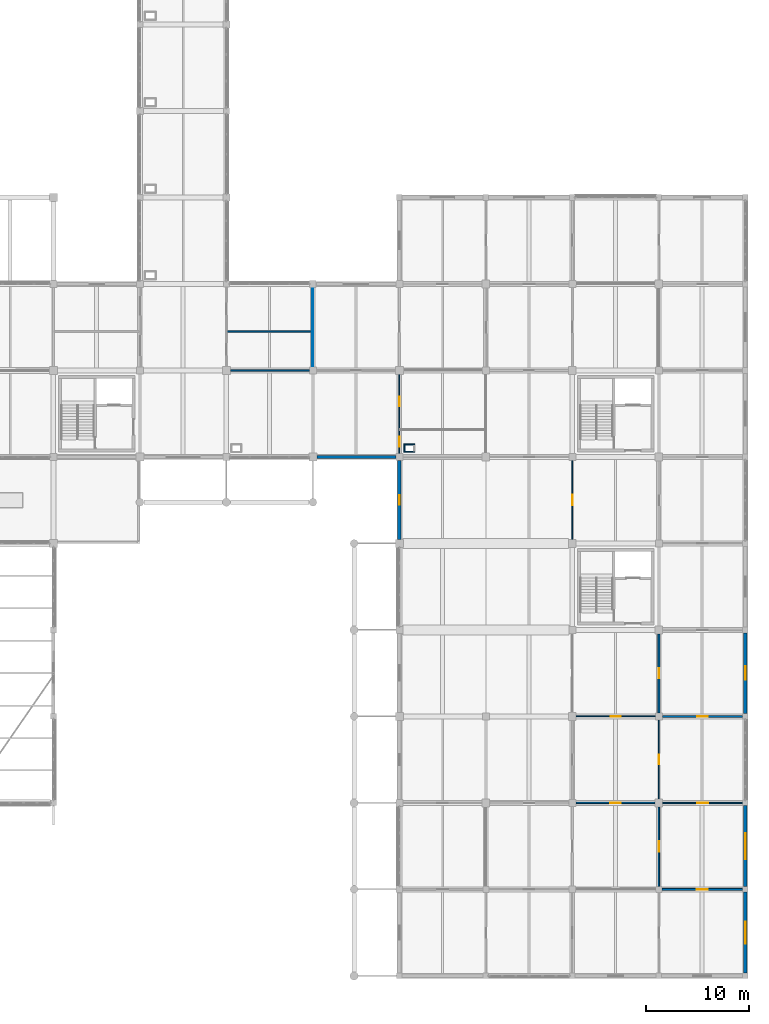
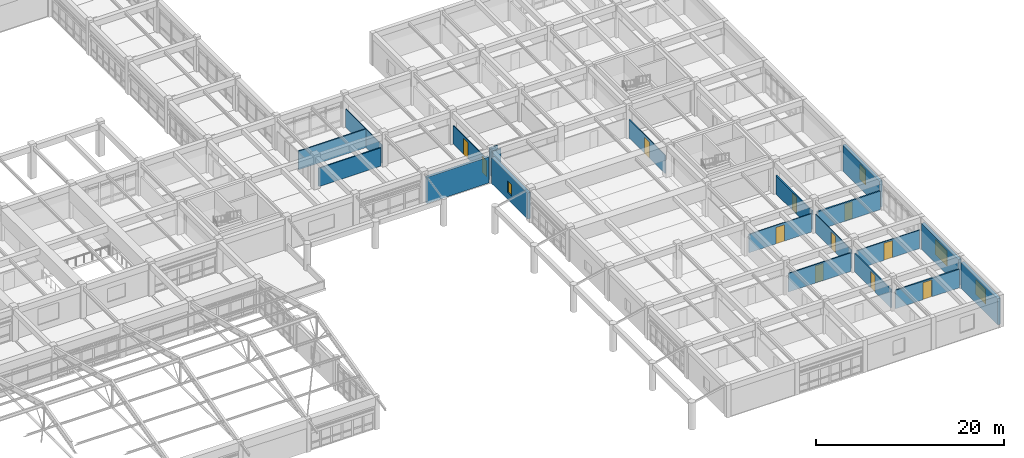
# One storey, part 91 of 99: 21 walls, 11 doors, 4 windows, 15 openings.
"""IFC4 building model written with IfcOpenShell, lengths in metres."""

import ifcopenshell
import ifcopenshell.guid

model = None  # the IFC model being written
_history = None  # IfcOwnerHistory: only IFC2X3 demands one
_inside = {}  # id of a spatial element -> (the spatial element, [elements in it])
_under = {}  # id of a project, library or spatial element -> (it, [spatial elements below it])
_declared = {}  # id of a project -> (the project, [libraries it declares])
_typed = {}  # id of a type object -> (the type object, [elements of that type])
_made_of = {}  # id of a material, layer set ... -> (it, [elements and type objects made of it])


def new_model(schema):
    """Start an empty IFC model of exactly this schema.

    Asked for "IFC4X3", IfcOpenShell would pick the latest addendum, in which some entities
    have other attributes; the version numbers below select the first issue.
    IFC2X3 requires an IfcOwnerHistory on every rooted entity: one is made here for all.
    """
    global model, _history
    if schema == "IFC4X3":
        model = ifcopenshell.file(schema_version=(4, 3, 0, 0))
    else:
        model = ifcopenshell.file(schema=schema)
    _inside.clear()
    _under.clear()
    _declared.clear()
    _typed.clear()
    _made_of.clear()
    _history = None
    if model.schema == "IFC2X3":
        org = make("IfcOrganization", Name="unknown")
        user = make(
            "IfcPersonAndOrganization",
            ThePerson=make("IfcPerson", FamilyName="unknown"),
            TheOrganization=org,
        )
        app = make(
            "IfcApplication",
            ApplicationDeveloper=org,
            Version="unknown",
            ApplicationFullName="unknown",
            ApplicationIdentifier="unknown",
        )
        _history = make(
            "IfcOwnerHistory",
            OwningUser=user,
            OwningApplication=app,
            ChangeAction="ADDED",
            CreationDate=0,
        )
    return model


def make(cls, **values):
    """One entity of the class cls with the attributes given. An attribute that is None is left unset."""
    return model.create_entity(
        cls, **{name: value for name, value in values.items() if value is not None}
    )


def rooted(cls, **values):
    """An entity with a GlobalId (a new one), such as an element, a storey or a relation."""
    return make(cls, GlobalId=ifcopenshell.guid.new(), OwnerHistory=_history, **values)


def si_unit(unit_type, name, prefix=None):
    """IfcSIUnit, for example si_unit("LENGTHUNIT", "METRE", prefix="MILLI")."""
    return make("IfcSIUnit", UnitType=unit_type, Prefix=prefix, Name=name)


def assignment(units):
    """IfcUnitAssignment: the units of a project."""
    return None if units is None else make("IfcUnitAssignment", Units=units)


def point(xyz):
    """IfcCartesianPoint."""
    return None if xyz is None else make("IfcCartesianPoint", Coordinates=xyz)


def direction(xyz):
    """IfcDirection."""
    return None if xyz is None else make("IfcDirection", DirectionRatios=xyz)


def frame(location, z_axis=None, x_axis=None):
    """IfcAxis2Placement3D, a coordinate frame: its origin and axes. An axis left out is left unset."""
    return make(
        "IfcAxis2Placement3D",
        Location=point(location),
        Axis=direction(z_axis),
        RefDirection=direction(x_axis),
    )


def frame_2d(location, x_axis=None):
    """IfcAxis2Placement2D, a coordinate frame in the plane: its origin and x axis."""
    return make(
        "IfcAxis2Placement2D", Location=point(location), RefDirection=direction(x_axis)
    )


def origin():
    """The frame at (0, 0, 0) with its axes left unset."""
    return frame((0.0, 0.0, 0.0))


def place(relative_to, where):
    """IfcLocalPlacement: puts the frame where relative to a parent placement (None: the world)."""
    return make(
        "IfcLocalPlacement", PlacementRelTo=relative_to, RelativePlacement=where
    )


def context(
    kind, dimensions, precision=None, world=None, true_north=None, identifier=None
):
    """IfcGeometricRepresentationContext, for example the 3D "Model" context."""
    return make(
        "IfcGeometricRepresentationContext",
        ContextIdentifier=identifier,
        ContextType=kind,
        CoordinateSpaceDimension=dimensions,
        Precision=precision,
        WorldCoordinateSystem=world,
        TrueNorth=true_north,
    )


def subcontext(parent, identifier, kind, view, scale=None):
    """IfcGeometricRepresentationSubContext, for example "Body" below "Model"."""
    return make(
        "IfcGeometricRepresentationSubContext",
        ContextIdentifier=identifier,
        ContextType=kind,
        ParentContext=parent,
        TargetScale=scale,
        TargetView=view,
    )


def project(units=None, contexts=None):
    """IfcProject with its units and contexts."""
    return rooted(
        "IfcProject",
        Name="project",
        RepresentationContexts=contexts,
        UnitsInContext=assignment(units),
    )


def spatial(cls, under=None, at=None, **own):
    """A site, building, storey or space (cls), placed at a placement, below another one or the project."""
    s = rooted(cls, ObjectPlacement=at, **own)
    if under is not None:
        _under.setdefault(under.id(), (under, []))[1].append(s)
    return s


def profile(cls, at=None, kind="AREA", **sizes):
    """A parametric profile (cls). Its sizes go by their IFC names, for example OverallWidth=200.0."""
    return make(cls, ProfileType=kind, Position=at, **sizes)


def rectangle(**sizes):
    """IfcRectangleProfileDef."""
    return profile("IfcRectangleProfileDef", **sizes)


def extrude(swept, where, along, depth):
    """IfcExtrudedAreaSolid: the profile swept, set in the frame where, extruded along a direction by depth."""
    return make(
        "IfcExtrudedAreaSolid",
        SweptArea=swept,
        Position=where,
        ExtrudedDirection=direction(along),
        Depth=depth,
    )


def shape(context_of_items, identifier, shape_type, items):
    """IfcShapeRepresentation: the items that make up one representation, for example the "Body"."""
    return make(
        "IfcShapeRepresentation",
        ContextOfItems=context_of_items,
        RepresentationIdentifier=identifier,
        RepresentationType=shape_type,
        Items=items,
    )


def material(Name=None, Category=None):
    """IfcMaterial."""
    return make("IfcMaterial", Name=Name, Category=Category)


def layer(
    of_material, thickness, ventilated=None, Name=None, Category=None, Priority=None
):
    """IfcMaterialLayer: one layer of a wall or slab, of a material (None: an air gap)."""
    return make(
        "IfcMaterialLayer",
        Material=of_material,
        LayerThickness=thickness,
        IsVentilated=ventilated,
        Name=Name,
        Category=Category,
        Priority=Priority,
    )


def layer_set(layers, Name=None):
    """IfcMaterialLayerSet."""
    return make("IfcMaterialLayerSet", MaterialLayers=layers, LayerSetName=Name)


def made_of(thing, what):
    """Note that an element or type object is made of a material, layer set ...; save() writes the relation."""
    if what is not None:
        _made_of.setdefault(what.id(), (what, []))[1].append(thing)
    return thing


def type_object(cls, material=None, **own):
    """A type object (cls), such as IfcWallType, which elements share."""
    return made_of(rooted(cls, **own), material)


def element(
    cls,
    number,
    at=None,
    inside=None,
    cuts=None,
    type_object=None,
    material=None,
    context=None,
    identifier="Body",
    shape_type=None,
    held_by="IfcProductDefinitionShape",
    body=None,
    shapes=None,
    **own,
):
    """One element of the class cls, such as IfcWall. Its Tag is "e" and its number.

    at: its placement. inside: the storey or other place that contains it. cuts: it is an
    opening in that element (IfcRelVoidsElement). A single representation is given by context,
    identifier, shape_type and body (its items); several are given by shapes. held_by: the class
    of the entity that holds the representations. save() writes the other relations.
    """
    e = rooted(cls, Tag="e%d" % number, ObjectPlacement=at, **own)
    if body is not None:
        shapes = [shape(context, identifier, shape_type, body)]
    if shapes is not None:
        e.Representation = make(held_by, Representations=shapes)
    if inside is not None:
        _inside.setdefault(inside.id(), (inside, []))[1].append(e)
    if cuts is not None:
        rooted(
            "IfcRelVoidsElement", RelatingBuildingElement=cuts, RelatedOpeningElement=e
        )
    if type_object is not None:
        _typed.setdefault(type_object.id(), (type_object, []))[1].append(e)
    return made_of(e, material)


def fill(opening, filler):
    """IfcRelFillsElement: the door or window that sits in an opening."""
    return rooted(
        "IfcRelFillsElement",
        RelatingOpeningElement=opening,
        RelatedBuildingElement=filler,
    )


def aggregate(whole, parts):
    """IfcRelAggregates: a whole, such as a stair, and the parts it consists of."""
    return rooted("IfcRelAggregates", RelatingObject=whole, RelatedObjects=parts)


def save(model, path):
    """Write the relations noted so far, then the file.

    IfcRelAggregates (storeys below a building ...), IfcRelContainedInSpatialStructure (elements
    in a storey), IfcRelDefinesByType, IfcRelAssociatesMaterial and IfcRelDeclares: one each for
    every whole, place, type object, material and project.
    """
    for whole, parts in _under.values():
        aggregate(whole, parts)
    for where, things in _inside.values():
        rooted(
            "IfcRelContainedInSpatialStructure",
            RelatedElements=things,
            RelatingStructure=where,
        )
    for kind, things in _typed.values():
        rooted("IfcRelDefinesByType", RelatedObjects=things, RelatingType=kind)
    for what, things in _made_of.values():
        rooted("IfcRelAssociatesMaterial", RelatedObjects=things, RelatingMaterial=what)
    for by, libraries in _declared.values():
        rooted("IfcRelDeclares", RelatingContext=by, RelatedDefinitions=libraries)
    model.write(path)


model = new_model("IFC4")

# Units and contexts
model_context = context("Model", 3, precision=1e-05, world=origin(), true_north=direction((0.0, 1.0)))
body_context = subcontext(model_context, "Body", "Model", "MODEL_VIEW")
ifc_project = project(units=[si_unit("LENGTHUNIT", "METRE"), si_unit("AREAUNIT", "SQUARE_METRE"), si_unit("VOLUMEUNIT", "CUBIC_METRE"), si_unit("PLANEANGLEUNIT", "RADIAN"), si_unit("MASSUNIT", "GRAM", prefix="KILO")], contexts=[model_context])

# Site, building, storey
site_placement = place(None, origin())
site = spatial("IfcSite", under=ifc_project, at=site_placement, CompositionType="ELEMENT")
building_placement = place(site_placement, origin())
building = spatial("IfcBuilding", under=site, at=building_placement, Name="Porcellanite Civic Hall", CompositionType="ELEMENT")
storey_placement = place(building_placement, frame((0.0, 0.0, 5.760009765625)))
storey = spatial("IfcBuildingStorey", under=building, at=storey_placement, Name="L01", CompositionType="ELEMENT", Elevation=5.760009765625)

# Wall
ifc_material_1 = material(Name="Precast concrete N40 (40 MPa)", Category="concrete")
ifc_layer_1 = layer(ifc_material_1, 0.280029296875)
ifc_layer_set_1 = layer_set([ifc_layer_1], Name="Precast concrete N40 (40 MPa)")
wall_type_1 = type_object("IfcWallType", Name="EW-CLO280", PredefinedType="SOLIDWALL", material=ifc_layer_set_1)
wall_1_placement = place(storey_placement, frame((142.448974609375, 50.39990234375, 0.0), z_axis=(0.0, 0.0, 1.0), x_axis=(-1.0, 0.0, 0.0)))
element("IfcWall", 1, at=wall_1_placement, inside=storey, type_object=wall_type_1, Name="Exterior wall L01 S 17-7", PredefinedType="SOLIDWALL", context=body_context, shape_type="SweptSolid", body=[
    extrude(rectangle(XDim=7.673095703125, YDim=0.280029296875, at=frame_2d((3.83642578125, 0.0))), origin(), (0.0, 0.0, 1.0), 3.39990234375),
])

# Wall, opening, window
ifc_material_2 = material(Name="Precast concrete N40 (40 MPa)", Category="concrete")
ifc_layer_2 = layer(ifc_material_2, 0.360107421875)
ifc_layer_set_2 = layer_set([ifc_layer_2], Name="Precast concrete N40 (40 MPa)")
wall_type_2 = type_object("IfcWallType", Name="EW-LIB360", PredefinedType="SOLIDWALL", material=ifc_layer_set_2)
wall_2_placement = place(storey_placement, frame((142.800048828125, 42.3759765625, 0.0), z_axis=(0.0, 0.0, 1.0), x_axis=(0.0, 1.0, 0.0)))
wall_2 = element("IfcWall", 2, at=wall_2_placement, inside=storey, type_object=wall_type_2, Name="Exterior wall L01 W 18-6", PredefinedType="SOLIDWALL", context=body_context, shape_type="SweptSolid", body=[
    extrude(rectangle(XDim=7.673095703125, YDim=0.360107421875, at=frame_2d((3.83642578125, 0.0))), origin(), (0.0, 0.0, 1.0), 3.39990234375),
])
opening_1_placement = place(wall_2_placement, frame((3.385986328125, 0.0, 0.89990234375)))
opening_1 = element("IfcOpeningElement", 3, at=opening_1_placement, cuts=wall_2, Name="Opening W26", PredefinedType="OPENING", context=body_context, shape_type="SweptSolid", body=[
    extrude(rectangle(XDim=0.89990234375, YDim=1.5, at=frame_2d((0.449951171875, 0.75))), frame((0.0, 0.18017578125, 0.0), z_axis=(0.0, -1.0, 0.0), x_axis=(1.0, 0.0, 0.0)), (0.0, 0.0, 1.0), 0.360107421875),
])
ifc_material_3 = material(Name="Cyclone laminated low-E glazing in anodised aluminium frame", Category="aluminium")
window_type_1 = type_object("IfcWindowType", Name="WN-26", PartitioningType="SINGLE_PANEL", PredefinedType="WINDOW", material=ifc_material_3)
window_1_placement = place(opening_1_placement, origin())
window_1 = element("IfcWindow", 4, at=window_1_placement, inside=storey, type_object=window_type_1, Name="Window W26 L01 W 18-6", OverallHeight=1.5, OverallWidth=0.89990234375, PartitioningType="SINGLE_PANEL", PredefinedType="WINDOW", context=body_context, shape_type="SweptSolid", body=[
    extrude(rectangle(XDim=0.89990234375, YDim=1.5, at=frame_2d((0.449951171875, 0.75))), frame((0.0, 0.030029296875, 0.0), z_axis=(0.0, -1.0, 0.0), x_axis=(1.0, 0.0, 0.0)), (0.0, 0.0, 1.0), 0.06005859375),
])
fill(opening_1, window_1)

wall_3_placement = place(storey_placement, frame((176.39990234375, 8.1240234375, 0.0), z_axis=(0.0, 0.0, 1.0), x_axis=(0.0, -1.0, 0.0)))
wall_3 = element("IfcWall", 5, at=wall_3_placement, inside=storey, type_object=wall_type_2, Name="Exterior wall L01 E 21-1", PredefinedType="SOLIDWALL", context=body_context, shape_type="SweptSolid", body=[
    extrude(rectangle(XDim=7.84814453125, YDim=0.360107421875, at=frame_2d((3.924072265625, 0.0))), origin(), (0.0, 0.0, 1.0), 3.39990234375),
])
opening_2_placement = place(wall_3_placement, frame((2.84912109375, 0.0, 0.89990234375)))
opening_2 = element("IfcOpeningElement", 6, at=opening_2_placement, cuts=wall_3, Name="Opening W32", PredefinedType="OPENING", context=body_context, shape_type="SweptSolid", body=[
    extrude(rectangle(XDim=2.14990234375, YDim=1.949951171875, at=frame_2d((1.074951171875, 0.97509765625))), frame((0.0, 0.18017578125, 0.0), z_axis=(0.0, -1.0, 0.0), x_axis=(1.0, 0.0, 0.0)), (0.0, 0.0, 1.0), 0.360107421875),
])
ifc_material_4 = material(Name="Cyclone laminated low-E glazing in anodised aluminium frame", Category="aluminium")
window_type_2 = type_object("IfcWindowType", Name="WN-32", PartitioningType="DOUBLE_PANEL_VERTICAL", PredefinedType="WINDOW", material=ifc_material_4)
window_2_placement = place(opening_2_placement, origin())
window_2 = element("IfcWindow", 7, at=window_2_placement, inside=storey, type_object=window_type_2, Name="Window W32 L01 E 21-1", OverallHeight=1.949951171875, OverallWidth=2.14990234375, PartitioningType="SINGLE_PANEL", PredefinedType="WINDOW", context=body_context, shape_type="SweptSolid", body=[
    extrude(rectangle(XDim=2.14990234375, YDim=1.949951171875, at=frame_2d((1.074951171875, 0.97509765625))), frame((0.0, 0.030029296875, 0.0), z_axis=(0.0, -1.0, 0.0), x_axis=(1.0, 0.0, 0.0)), (0.0, 0.0, 1.0), 0.06005859375),
])
fill(opening_2, window_2)

wall_4_placement = place(storey_placement, frame((176.39990234375, 16.52392578125, 0.0), z_axis=(0.0, 0.0, 1.0), x_axis=(0.0, -1.0, 0.0)))
wall_4 = element("IfcWall", 8, at=wall_4_placement, inside=storey, type_object=wall_type_2, Name="Exterior wall L01 E 21-2", PredefinedType="SOLIDWALL", context=body_context, shape_type="SweptSolid", body=[
    extrude(rectangle(XDim=7.847900390625, YDim=0.360107421875, at=frame_2d((3.923828125, 0.0))), origin(), (0.0, 0.0, 1.0), 3.39990234375),
])
opening_3_placement = place(wall_4_placement, frame((2.64892578125, 0.0, 0.89990234375)))
opening_3 = element("IfcOpeningElement", 9, at=opening_3_placement, cuts=wall_4, Name="Opening W33", PredefinedType="OPENING", context=body_context, shape_type="SweptSolid", body=[
    extrude(rectangle(XDim=2.550048828125, YDim=1.949951171875, at=frame_2d((1.27490234375, 0.97509765625))), frame((0.0, 0.18017578125, 0.0), z_axis=(0.0, -1.0, 0.0), x_axis=(1.0, 0.0, 0.0)), (0.0, 0.0, 1.0), 0.360107421875),
])
ifc_material_5 = material(Name="Cyclone laminated low-E glazing in anodised aluminium frame", Category="aluminium")
window_type_3 = type_object("IfcWindowType", Name="WN-33", PartitioningType="TRIPLE_PANEL_VERTICAL", PredefinedType="WINDOW", material=ifc_material_5)
window_3_placement = place(opening_3_placement, origin())
window_3 = element("IfcWindow", 10, at=window_3_placement, inside=storey, type_object=window_type_3, Name="Window W33 L01 E 21-2", OverallHeight=1.949951171875, OverallWidth=2.550048828125, PartitioningType="SINGLE_PANEL", PredefinedType="WINDOW", context=body_context, shape_type="SweptSolid", body=[
    extrude(rectangle(XDim=2.550048828125, YDim=1.949951171875, at=frame_2d((1.27490234375, 0.97509765625))), frame((0.0, 0.030029296875, 0.0), z_axis=(0.0, -1.0, 0.0), x_axis=(1.0, 0.0, 0.0)), (0.0, 0.0, 1.0), 0.06005859375),
])
fill(opening_3, window_3)

wall_5_placement = place(storey_placement, frame((176.39990234375, 33.323974609375, 0.0), z_axis=(0.0, 0.0, 1.0), x_axis=(0.0, -1.0, 0.0)))
wall_5 = element("IfcWall", 11, at=wall_5_placement, inside=storey, type_object=wall_type_2, Name="Exterior wall L01 E 21-4", PredefinedType="SOLIDWALL", context=body_context, shape_type="SweptSolid", body=[
    extrude(rectangle(XDim=7.847900390625, YDim=0.360107421875, at=frame_2d((3.923828125, 0.0))), origin(), (0.0, 0.0, 1.0), 3.39990234375),
])
opening_4_placement = place(wall_5_placement, frame((3.27392578125, 0.0, 0.89990234375)))
opening_4 = element("IfcOpeningElement", 12, at=opening_4_placement, cuts=wall_5, Name="Opening W34", PredefinedType="OPENING", context=body_context, shape_type="SweptSolid", body=[
    extrude(rectangle(XDim=1.300048828125, YDim=1.949951171875, at=frame_2d((0.64990234375, 0.97509765625))), frame((0.0, 0.18017578125, 0.0), z_axis=(0.0, -1.0, 0.0), x_axis=(1.0, 0.0, 0.0)), (0.0, 0.0, 1.0), 0.360107421875),
])
ifc_material_6 = material(Name="Cyclone laminated low-E glazing in anodised aluminium frame", Category="aluminium")
window_type_4 = type_object("IfcWindowType", Name="WN-34", PartitioningType="SINGLE_PANEL", PredefinedType="WINDOW", material=ifc_material_6)
window_4_placement = place(opening_4_placement, origin())
window_4 = element("IfcWindow", 13, at=window_4_placement, inside=storey, type_object=window_type_4, Name="Window W34 L01 E 21-4", OverallHeight=1.949951171875, OverallWidth=1.300048828125, PartitioningType="SINGLE_PANEL", PredefinedType="WINDOW", context=body_context, shape_type="SweptSolid", body=[
    extrude(rectangle(XDim=1.300048828125, YDim=1.949951171875, at=frame_2d((0.64990234375, 0.97509765625))), frame((0.0, 0.030029296875, 0.0), z_axis=(0.0, -1.0, 0.0), x_axis=(1.0, 0.0, 0.0)), (0.0, 0.0, 1.0), 0.06005859375),
])
fill(opening_4, window_4)

# Walls
ifc_material_7 = material(Name="Fire-rated shaftwall plasterboard on steel studs", Category="steel")
ifc_layer_3 = layer(ifc_material_7, 0.117919921875)
ifc_layer_set_3 = layer_set([ifc_layer_3], Name="Fire-rated shaftwall plasterboard on steel studs")
wall_type_3 = type_object("IfcWallType", Name="IW-FR118", PredefinedType="PARTITIONING", material=ifc_layer_set_3)
for number, where, z_axis, x_axis, name in (
    (14, (143.23193359375, 50.89111328125, 0.0), (0.0, 0.0, 1.0), (1.0, 0.0, 0.0), "Fire riser shaftwall S L01 17-6"),
    (15, (143.23193359375, 51.60888671875, 0.0), (0.0, 0.0, 1.0), (1.0, 0.0, 0.0), "Fire riser shaftwall N L01 17-6"),
):
    element("IfcWall", number, at=place(storey_placement, frame(where, z_axis=z_axis, x_axis=x_axis)), inside=storey, type_object=wall_type_3, Name=name, PredefinedType="PARTITIONING", context=body_context, shape_type="SweptSolid", body=[
        extrude(rectangle(XDim=1.0361328125, YDim=0.117919921875, at=frame_2d((0.51806640625, 0.0))), origin(), (0.0, 0.0, 1.0), 3.47998046875),
    ])
wall_6_placement = place(storey_placement, frame((143.291015625, 50.949951171875, 0.0), z_axis=(0.0, 0.0, 1.0), x_axis=(0.0, 1.0, 0.0)))
element("IfcWall", 16, at=wall_6_placement, inside=storey, type_object=wall_type_3, Name="Fire riser shaftwall W L01 17-6", PredefinedType="PARTITIONING", context=body_context, shape_type="SweptSolid", body=[
    extrude(rectangle(XDim=0.60009765625, YDim=0.117919921875, at=frame_2d((0.300048828125, 0.0))), origin(), (0.0, 0.0, 1.0), 3.47998046875),
])
ifc_material_8 = material(Name="Insulated acoustic plasterboard on light-gauge steel studs", Category="steel")
ifc_layer_4 = layer(ifc_material_8, 0.094970703125)
ifc_layer_set_4 = layer_set([ifc_layer_4], Name="Insulated acoustic plasterboard on light-gauge steel studs")
wall_type_4 = type_object("IfcWallType", Name="IW-PT095", PredefinedType="PARTITIONING", material=ifc_layer_set_4)
wall_7_placement = place(storey_placement, frame((134.39990234375, 59.152099609375, 0.0), z_axis=(0.0, 0.0, 1.0), x_axis=(0.0, 1.0, 0.0)))
element("IfcWall", 17, at=wall_7_placement, inside=storey, type_object=wall_type_4, Name="Partition L01 V 16-8", PredefinedType="PARTITIONING", context=body_context, shape_type="SweptSolid", body=[
    extrude(rectangle(XDim=7.720947265625, YDim=0.094970703125, at=frame_2d((3.8603515625, 0.0))), origin(), (0.0, 0.0, 1.0), 2.39990234375),
])

# Wall, opening, door
ifc_material_9 = material(Name="Insulated acoustic plasterboard on light-gauge steel studs", Category="steel")
ifc_layer_5 = layer(ifc_material_9, 0.10498046875)
ifc_layer_set_5 = layer_set([ifc_layer_5], Name="Insulated acoustic plasterboard on light-gauge steel studs")
wall_type_5 = type_object("IfcWallType", Name="IW-PT105", PredefinedType="PARTITIONING", material=ifc_layer_set_5)
wall_8_placement = place(storey_placement, frame((159.97705078125, 25.199951171875, 0.0), z_axis=(0.0, 0.0, 1.0), x_axis=(1.0, 0.0, 0.0)))
wall_8 = element("IfcWall", 18, at=wall_8_placement, inside=storey, type_object=wall_type_5, Name="Partition L01 H 20-3", PredefinedType="PARTITIONING", context=body_context, shape_type="SweptSolid", body=[
    extrude(rectangle(XDim=7.6708984375, YDim=0.10498046875, at=frame_2d((3.83544921875, 0.0))), origin(), (0.0, 0.0, 1.0), 2.39990234375),
])
opening_5_placement = place(wall_8_placement, frame((3.3310546875, 0.0, 0.0)))
opening_5 = element("IfcOpeningElement", 19, at=opening_5_placement, cuts=wall_8, Name="Opening D-L01-205", PredefinedType="OPENING", context=body_context, shape_type="SweptSolid", body=[
    extrude(rectangle(XDim=1.010009765625, YDim=2.1201171875, at=frame_2d((0.5048828125, 1.06005859375))), frame((0.0, 0.052490234375, 0.0), z_axis=(0.0, -1.0, 0.0), x_axis=(1.0, 0.0, 0.0)), (0.0, 0.0, 1.0), 0.10498046875),
])
ifc_material_10 = material(Name="Solid-core spotted-gum timber", Category="wood")
door_type_1 = type_object("IfcDoorType", Name="DR-RM101", OperationType="NOTDEFINED", PredefinedType="DOOR", material=ifc_material_10)
door_1_placement = place(opening_5_placement, origin())
door_1 = element("IfcDoor", 20, at=door_1_placement, inside=storey, type_object=door_type_1, Name="Interior door D-L01-205", OperationType="SINGLE_SWING_LEFT", OverallHeight=2.1201171875, OverallWidth=1.010009765625, PredefinedType="DOOR", context=body_context, shape_type="SweptSolid", body=[
    extrude(rectangle(XDim=1.010009765625, YDim=2.1201171875, at=frame_2d((0.5048828125, 1.06005859375))), frame((0.0, 0.02490234375, 0.0), z_axis=(0.0, -1.0, 0.0), x_axis=(1.0, 0.0, 0.0)), (0.0, 0.0, 1.0), 0.050048828125),
])
fill(opening_5, door_1)

wall_9_placement = place(storey_placement, frame((159.60009765625, 42.376953125, 0.0), z_axis=(0.0, 0.0, 1.0), x_axis=(0.0, 1.0, 0.0)))
wall_9 = element("IfcWall", 21, at=wall_9_placement, inside=storey, type_object=wall_type_5, Name="Partition L01 V 19-6", PredefinedType="PARTITIONING", context=body_context, shape_type="SweptSolid", body=[
    extrude(rectangle(XDim=7.671142578125, YDim=0.10498046875, at=frame_2d((3.83544921875, 0.0))), origin(), (0.0, 0.0, 1.0), 2.39990234375),
])
opening_6_placement = place(wall_9_placement, frame((3.31103515625, 0.0, 0.0)))
opening_6 = element("IfcOpeningElement", 22, at=opening_6_placement, cuts=wall_9, Name="Opening D-L01-217", PredefinedType="OPENING", context=body_context, shape_type="SweptSolid", body=[
    extrude(rectangle(XDim=1.050048828125, YDim=2.1201171875, at=frame_2d((0.52490234375, 1.06005859375))), frame((0.0, 0.052490234375, 0.0), z_axis=(0.0, -1.0, 0.0), x_axis=(1.0, 0.0, 0.0)), (0.0, 0.0, 1.0), 0.10498046875),
])
ifc_material_11 = material(Name="Solid-core spotted-gum timber", Category="wood")
door_type_2 = type_object("IfcDoorType", Name="DR-RM105", OperationType="NOTDEFINED", PredefinedType="DOOR", material=ifc_material_11)
door_2_placement = place(opening_6_placement, origin())
door_2 = element("IfcDoor", 23, at=door_2_placement, inside=storey, type_object=door_type_2, Name="Interior door D-L01-217", OperationType="SINGLE_SWING_LEFT", OverallHeight=2.1201171875, OverallWidth=1.050048828125, PredefinedType="DOOR", context=body_context, shape_type="SweptSolid", body=[
    extrude(rectangle(XDim=1.050048828125, YDim=2.1201171875, at=frame_2d((0.52490234375, 1.06005859375))), frame((0.0, 0.02490234375, 0.0), z_axis=(0.0, -1.0, 0.0), x_axis=(1.0, 0.0, 0.0)), (0.0, 0.0, 1.0), 0.050048828125),
])
fill(opening_6, door_2)

wall_10_placement = place(storey_placement, frame((168.0, 17.177001953125, 0.0), z_axis=(0.0, 0.0, 1.0), x_axis=(0.0, 1.0, 0.0)))
wall_10 = element("IfcWall", 24, at=wall_10_placement, inside=storey, type_object=wall_type_5, Name="Partition L01 V 20-3", PredefinedType="PARTITIONING", context=body_context, shape_type="SweptSolid", body=[
    extrude(rectangle(XDim=7.6708984375, YDim=0.10498046875, at=frame_2d((3.83544921875, 0.0))), origin(), (0.0, 0.0, 1.0), 2.39990234375),
])
opening_7_placement = place(wall_10_placement, frame((3.35595703125, 0.0, 0.0)))
opening_7 = element("IfcOpeningElement", 25, at=opening_7_placement, cuts=wall_10, Name="Opening D-L01-305", PredefinedType="OPENING", context=body_context, shape_type="SweptSolid", body=[
    extrude(rectangle(XDim=0.9599609375, YDim=2.179931640625, at=frame_2d((0.47998046875, 1.08984375))), frame((0.0, 0.052490234375, 0.0), z_axis=(0.0, -1.0, 0.0), x_axis=(1.0, 0.0, 0.0)), (0.0, 0.0, 1.0), 0.10498046875),
])
ifc_material_12 = material(Name="Solid-core spotted-gum timber", Category="wood")
door_type_3 = type_object("IfcDoorType", Name="DR-RM096", OperationType="NOTDEFINED", PredefinedType="DOOR", material=ifc_material_12)
door_3_placement = place(opening_7_placement, origin())
door_3 = element("IfcDoor", 26, at=door_3_placement, inside=storey, type_object=door_type_3, Name="Interior door D-L01-305", OperationType="SINGLE_SWING_LEFT", OverallHeight=2.179931640625, OverallWidth=0.9599609375, PredefinedType="DOOR", context=body_context, shape_type="SweptSolid", body=[
    extrude(rectangle(XDim=0.9599609375, YDim=2.179931640625, at=frame_2d((0.47998046875, 1.08984375))), frame((0.0, 0.02490234375, 0.0), z_axis=(0.0, -1.0, 0.0), x_axis=(1.0, 0.0, 0.0)), (0.0, 0.0, 1.0), 0.050048828125),
])
fill(opening_7, door_3)

# Wall, openings, doors
ifc_material_13 = material(Name="Insulated acoustic plasterboard on light-gauge steel studs", Category="steel")
ifc_layer_6 = layer(ifc_material_13, 0.114990234375)
ifc_layer_set_6 = layer_set([ifc_layer_6], Name="Insulated acoustic plasterboard on light-gauge steel studs")
wall_type_6 = type_object("IfcWallType", Name="IW-PT115", PredefinedType="PARTITIONING", material=ifc_layer_set_6)
wall_11_placement = place(storey_placement, frame((142.800048828125, 50.751953125, 0.0), z_axis=(0.0, 0.0, 1.0), x_axis=(0.0, 1.0, 0.0)))
wall_11 = element("IfcWall", 27, at=wall_11_placement, inside=storey, type_object=wall_type_6, Name="Partition L01 V 17-7", PredefinedType="PARTITIONING", context=body_context, shape_type="SweptSolid", body=[
    extrude(rectangle(XDim=7.671142578125, YDim=0.114990234375, at=frame_2d((3.83544921875, 0.0))), origin(), (0.0, 0.0, 1.0), 2.39990234375),
])
opening_8_placement = place(wall_11_placement, frame((0.623046875, 0.0, 0.0)))
opening_8 = element("IfcOpeningElement", 28, at=opening_8_placement, cuts=wall_11, Name="Opening D-L01-186", PredefinedType="OPENING", context=body_context, shape_type="SweptSolid", body=[
    extrude(rectangle(XDim=0.97998046875, YDim=2.080078125, at=frame_2d((0.489990234375, 1.0400390625))), frame((0.0, 0.0576171875, 0.0), z_axis=(0.0, -1.0, 0.0), x_axis=(1.0, 0.0, 0.0)), (0.0, 0.0, 1.0), 0.114990234375),
])
opening_9_placement = place(wall_11_placement, frame((4.56298828125, 0.0, 0.0)))
opening_9 = element("IfcOpeningElement", 29, at=opening_9_placement, cuts=wall_11, Name="Opening D-L01-187", PredefinedType="OPENING", context=body_context, shape_type="SweptSolid", body=[
    extrude(rectangle(XDim=0.93994140625, YDim=2.080078125, at=frame_2d((0.469970703125, 1.0400390625))), frame((0.0, 0.0576171875, 0.0), z_axis=(0.0, -1.0, 0.0), x_axis=(1.0, 0.0, 0.0)), (0.0, 0.0, 1.0), 0.114990234375),
])
ifc_material_14 = material(Name="Moisture-resistant laminate solid-core timber", Category="wood")
door_type_4 = type_object("IfcDoorType", Name="DR-WC094", OperationType="NOTDEFINED", PredefinedType="DOOR", material=ifc_material_14)
door_4_placement = place(opening_9_placement, origin())
door_4 = element("IfcDoor", 30, at=door_4_placement, inside=storey, type_object=door_type_4, Name="Interior door D-L01-187", OperationType="SINGLE_SWING_LEFT", OverallHeight=2.080078125, OverallWidth=0.93994140625, PredefinedType="DOOR", context=body_context, shape_type="SweptSolid", body=[
    extrude(rectangle(XDim=0.93994140625, YDim=2.080078125, at=frame_2d((0.469970703125, 1.0400390625))), frame((0.0, 0.02490234375, 0.0), z_axis=(0.0, -1.0, 0.0), x_axis=(1.0, 0.0, 0.0)), (0.0, 0.0, 1.0), 0.050048828125),
])
fill(opening_9, door_4)
ifc_material_15 = material(Name="Moisture-resistant laminate solid-core timber", Category="wood")
door_type_5 = type_object("IfcDoorType", Name="DR-WC098", OperationType="NOTDEFINED", PredefinedType="DOOR", material=ifc_material_15)
door_5_placement = place(opening_8_placement, origin())
door_5 = element("IfcDoor", 31, at=door_5_placement, inside=storey, type_object=door_type_5, Name="Interior door D-L01-186", OperationType="SINGLE_SWING_RIGHT", OverallHeight=2.080078125, OverallWidth=0.97998046875, PredefinedType="DOOR", context=body_context, shape_type="SweptSolid", body=[
    extrude(rectangle(XDim=0.97998046875, YDim=2.080078125, at=frame_2d((0.489990234375, 1.0400390625))), frame((0.0, 0.02490234375, 0.0), z_axis=(0.0, -1.0, 0.0), x_axis=(1.0, 0.0, 0.0)), (0.0, 0.0, 1.0), 0.050048828125),
])
fill(opening_8, door_5)

# Wall, opening, door
ifc_material_16 = material(Name="Insulated acoustic plasterboard on light-gauge steel studs", Category="steel")
ifc_layer_7 = layer(ifc_material_16, 0.125)
ifc_layer_set_7 = layer_set([ifc_layer_7], Name="Insulated acoustic plasterboard on light-gauge steel studs")
wall_type_7 = type_object("IfcWallType", Name="IW-PT125", PredefinedType="PARTITIONING", material=ifc_layer_set_7)
wall_12_placement = place(storey_placement, frame((168.376953125, 16.800048828125, 0.0), z_axis=(0.0, 0.0, 1.0), x_axis=(1.0, 0.0, 0.0)))
wall_12 = element("IfcWall", 32, at=wall_12_placement, inside=storey, type_object=wall_type_7, Name="Partition L01 H 21-2", PredefinedType="PARTITIONING", context=body_context, shape_type="SweptSolid", body=[
    extrude(rectangle(XDim=7.74609375, YDim=0.125, at=frame_2d((3.873046875, 0.0))), origin(), (0.0, 0.0, 1.0), 2.39990234375),
])
opening_10_placement = place(wall_12_placement, frame((3.343017578125, 0.0, 0.0)))
opening_10 = element("IfcOpeningElement", 33, at=opening_10_placement, cuts=wall_12, Name="Opening D-L01-248", PredefinedType="OPENING", context=body_context, shape_type="SweptSolid", body=[
    extrude(rectangle(XDim=1.06005859375, YDim=2.219970703125, at=frame_2d((0.530029296875, 1.10986328125))), frame((0.0, 0.0625, 0.0), z_axis=(0.0, -1.0, 0.0), x_axis=(1.0, 0.0, 0.0)), (0.0, 0.0, 1.0), 0.125),
])
ifc_material_17 = material(Name="Solid-core spotted-gum timber", Category="wood")
door_type_6 = type_object("IfcDoorType", Name="DR-RM106", OperationType="NOTDEFINED", PredefinedType="DOOR", material=ifc_material_17)
door_6_placement = place(opening_10_placement, origin())
door_6 = element("IfcDoor", 34, at=door_6_placement, inside=storey, type_object=door_type_6, Name="Interior door D-L01-248", OperationType="SINGLE_SWING_RIGHT", OverallHeight=2.219970703125, OverallWidth=1.06005859375, PredefinedType="DOOR", context=body_context, shape_type="SweptSolid", body=[
    extrude(rectangle(XDim=1.06005859375, YDim=2.219970703125, at=frame_2d((0.530029296875, 1.10986328125))), frame((0.0, 0.02490234375, 0.0), z_axis=(0.0, -1.0, 0.0), x_axis=(1.0, 0.0, 0.0)), (0.0, 0.0, 1.0), 0.050048828125),
])
fill(opening_10, door_6)

# Wall
ifc_material_18 = material(Name="Insulated acoustic plasterboard on light-gauge steel studs", Category="steel")
ifc_layer_8 = layer(ifc_material_18, 0.14501953125)
ifc_layer_set_8 = layer_set([ifc_layer_8], Name="Insulated acoustic plasterboard on light-gauge steel studs")
wall_type_8 = type_object("IfcWallType", Name="IW-PT145", PredefinedType="PARTITIONING", material=ifc_layer_set_8)
wall_13_placement = place(storey_placement, frame((126.376953125, 58.800048828125, 0.0), z_axis=(0.0, 0.0, 1.0), x_axis=(1.0, 0.0, 0.0)))
element("IfcWall", 35, at=wall_13_placement, inside=storey, type_object=wall_type_8, Name="Partition L01 H 16-7", PredefinedType="PARTITIONING", context=body_context, shape_type="SweptSolid", body=[
    extrude(rectangle(XDim=7.671142578125, YDim=0.14501953125, at=frame_2d((3.83544921875, 0.0))), origin(), (0.0, 0.0, 1.0), 2.39990234375),
])

# Wall, opening, door
ifc_material_19 = material(Name="Insulated acoustic plasterboard on light-gauge steel studs", Category="steel")
ifc_layer_9 = layer(ifc_material_19, 0.155029296875)
ifc_layer_set_9 = layer_set([ifc_layer_9], Name="Insulated acoustic plasterboard on light-gauge steel studs")
wall_type_9 = type_object("IfcWallType", Name="IW-PT155", PredefinedType="PARTITIONING", material=ifc_layer_set_9)
wall_14_placement = place(storey_placement, frame((159.951904296875, 16.800048828125, 0.0), z_axis=(0.0, 0.0, 1.0), x_axis=(1.0, 0.0, 0.0)))
wall_14 = element("IfcWall", 36, at=wall_14_placement, inside=storey, type_object=wall_type_9, Name="Partition L01 H 20-2", PredefinedType="PARTITIONING", context=body_context, shape_type="SweptSolid", body=[
    extrude(rectangle(XDim=7.671142578125, YDim=0.155029296875, at=frame_2d((3.83544921875, 0.0))), origin(), (0.0, 0.0, 1.0), 2.39990234375),
])
opening_11_placement = place(wall_14_placement, frame((3.324951171875, 0.0, 0.0)))
opening_11 = element("IfcOpeningElement", 37, at=opening_11_placement, cuts=wall_14, Name="Opening D-L01-263", PredefinedType="OPENING", context=body_context, shape_type="SweptSolid", body=[
    extrude(rectangle(XDim=1.02001953125, YDim=2.199951171875, at=frame_2d((0.510009765625, 1.10009765625))), frame((0.0, 0.07763671875, 0.0), z_axis=(0.0, -1.0, 0.0), x_axis=(1.0, 0.0, 0.0)), (0.0, 0.0, 1.0), 0.155029296875),
])
ifc_material_20 = material(Name="Solid-core spotted-gum timber", Category="wood")
door_type_7 = type_object("IfcDoorType", Name="DR-RM102", OperationType="NOTDEFINED", PredefinedType="DOOR", material=ifc_material_20)
door_7_placement = place(opening_11_placement, origin())
door_7 = element("IfcDoor", 38, at=door_7_placement, inside=storey, type_object=door_type_7, Name="Interior door D-L01-263", OperationType="SINGLE_SWING_LEFT", OverallHeight=2.199951171875, OverallWidth=1.02001953125, PredefinedType="DOOR", context=body_context, shape_type="SweptSolid", body=[
    extrude(rectangle(XDim=1.02001953125, YDim=2.199951171875, at=frame_2d((0.510009765625, 1.10009765625))), frame((0.0, 0.02490234375, 0.0), z_axis=(0.0, -1.0, 0.0), x_axis=(1.0, 0.0, 0.0)), (0.0, 0.0, 1.0), 0.050048828125),
])
fill(opening_11, door_7)

wall_15_placement = place(storey_placement, frame((168.0, 8.701904296875, 0.0), z_axis=(0.0, 0.0, 1.0), x_axis=(0.0, 1.0, 0.0)))
wall_15 = element("IfcWall", 39, at=wall_15_placement, inside=storey, type_object=wall_type_9, Name="Partition L01 V 20-2", PredefinedType="PARTITIONING", context=body_context, shape_type="SweptSolid", body=[
    extrude(rectangle(XDim=7.72119140625, YDim=0.155029296875, at=frame_2d((3.860595703125, 0.0))), origin(), (0.0, 0.0, 1.0), 2.39990234375),
])
opening_12_placement = place(wall_15_placement, frame((3.3701171875, 0.0, 0.0)))
opening_12 = element("IfcOpeningElement", 40, at=opening_12_placement, cuts=wall_15, Name="Opening D-L01-304", PredefinedType="OPENING", context=body_context, shape_type="SweptSolid", body=[
    extrude(rectangle(XDim=0.97998046875, YDim=2.179931640625, at=frame_2d((0.489990234375, 1.08984375))), frame((0.0, 0.07763671875, 0.0), z_axis=(0.0, -1.0, 0.0), x_axis=(1.0, 0.0, 0.0)), (0.0, 0.0, 1.0), 0.155029296875),
])
ifc_material_21 = material(Name="Solid-core spotted-gum timber", Category="wood")
door_type_8 = type_object("IfcDoorType", Name="DR-RM098", OperationType="NOTDEFINED", PredefinedType="DOOR", material=ifc_material_21)
door_8_placement = place(opening_12_placement, origin())
door_8 = element("IfcDoor", 41, at=door_8_placement, inside=storey, type_object=door_type_8, Name="Interior door D-L01-304", OperationType="SINGLE_SWING_RIGHT", OverallHeight=2.179931640625, OverallWidth=0.97998046875, PredefinedType="DOOR", context=body_context, shape_type="SweptSolid", body=[
    extrude(rectangle(XDim=0.97998046875, YDim=2.179931640625, at=frame_2d((0.489990234375, 1.08984375))), frame((0.0, 0.02490234375, 0.0), z_axis=(0.0, -1.0, 0.0), x_axis=(1.0, 0.0, 0.0)), (0.0, 0.0, 1.0), 0.050048828125),
])
fill(opening_12, door_8)

# Wall
wall_16_placement = place(storey_placement, frame((126.064453125, 62.60009765625, 0.0), z_axis=(0.0, 0.0, 1.0), x_axis=(1.0, 0.0, 0.0)))
element("IfcWall", 42, at=wall_16_placement, inside=storey, type_object=wall_type_9, Name="Partition L01 sub 16-8", PredefinedType="PARTITIONING", context=body_context, shape_type="SweptSolid", body=[
    extrude(rectangle(XDim=8.2861328125, YDim=0.155029296875, at=frame_2d((4.14306640625, 0.0))), origin(), (0.0, 0.0, 1.0), 2.39990234375),
])

# Wall, opening, door
ifc_material_22 = material(Name="Insulated acoustic plasterboard on light-gauge steel studs", Category="steel")
ifc_layer_10 = layer(ifc_material_22, 0.175048828125)
ifc_layer_set_10 = layer_set([ifc_layer_10], Name="Insulated acoustic plasterboard on light-gauge steel studs")
wall_type_10 = type_object("IfcWallType", Name="IW-PT175", PredefinedType="PARTITIONING", material=ifc_layer_set_10)
wall_17_placement = place(storey_placement, frame((168.302001953125, 8.39990234375, 0.0), z_axis=(0.0, 0.0, 1.0), x_axis=(1.0, 0.0, 0.0)))
wall_17 = element("IfcWall", 43, at=wall_17_placement, inside=storey, type_object=wall_type_10, Name="Partition L01 H 21-1", PredefinedType="PARTITIONING", context=body_context, shape_type="SweptSolid", body=[
    extrude(rectangle(XDim=7.821044921875, YDim=0.175048828125, at=frame_2d((3.91064453125, 0.0))), origin(), (0.0, 0.0, 1.0), 2.39990234375),
])
opening_13_placement = place(wall_17_placement, frame((3.3701171875, 0.0, 0.0)))
opening_13 = element("IfcOpeningElement", 44, at=opening_13_placement, cuts=wall_17, Name="Opening D-L01-247", PredefinedType="OPENING", context=body_context, shape_type="SweptSolid", body=[
    extrude(rectangle(XDim=1.080078125, YDim=2.219970703125, at=frame_2d((0.5400390625, 1.10986328125))), frame((0.0, 0.08740234375, 0.0), z_axis=(0.0, -1.0, 0.0), x_axis=(1.0, 0.0, 0.0)), (0.0, 0.0, 1.0), 0.175048828125),
])
ifc_material_23 = material(Name="Solid-core spotted-gum timber", Category="wood")
door_type_9 = type_object("IfcDoorType", Name="DR-RM108", OperationType="NOTDEFINED", PredefinedType="DOOR", material=ifc_material_23)
door_9_placement = place(opening_13_placement, origin())
door_9 = element("IfcDoor", 45, at=door_9_placement, inside=storey, type_object=door_type_9, Name="Interior door D-L01-247", OperationType="SINGLE_SWING_LEFT", OverallHeight=2.219970703125, OverallWidth=1.080078125, PredefinedType="DOOR", context=body_context, shape_type="SweptSolid", body=[
    extrude(rectangle(XDim=1.080078125, YDim=2.219970703125, at=frame_2d((0.5400390625, 1.10986328125))), frame((0.0, 0.02490234375, 0.0), z_axis=(0.0, -1.0, 0.0), x_axis=(1.0, 0.0, 0.0)), (0.0, 0.0, 1.0), 0.050048828125),
])
fill(opening_13, door_9)

wall_18_placement = place(storey_placement, frame((168.0, 25.552001953125, 0.0), z_axis=(0.0, 0.0, 1.0), x_axis=(0.0, 1.0, 0.0)))
wall_18 = element("IfcWall", 46, at=wall_18_placement, inside=storey, type_object=wall_type_10, Name="Partition L01 V 20-4", PredefinedType="PARTITIONING", context=body_context, shape_type="SweptSolid", body=[
    extrude(rectangle(XDim=7.6708984375, YDim=0.175048828125, at=frame_2d((3.83544921875, 0.0))), origin(), (0.0, 0.0, 1.0), 2.39990234375),
])
opening_14_placement = place(wall_18_placement, frame((3.35107421875, 0.0, 0.0)))
opening_14 = element("IfcOpeningElement", 47, at=opening_14_placement, cuts=wall_18, Name="Opening D-L01-219", PredefinedType="OPENING", context=body_context, shape_type="SweptSolid", body=[
    extrude(rectangle(XDim=0.969970703125, YDim=2.1201171875, at=frame_2d((0.48486328125, 1.06005859375))), frame((0.0, 0.08740234375, 0.0), z_axis=(0.0, -1.0, 0.0), x_axis=(1.0, 0.0, 0.0)), (0.0, 0.0, 1.0), 0.175048828125),
])
ifc_material_24 = material(Name="Solid-core spotted-gum timber", Category="wood")
door_type_10 = type_object("IfcDoorType", Name="DR-RM097", OperationType="NOTDEFINED", PredefinedType="DOOR", material=ifc_material_24)
door_10_placement = place(opening_14_placement, origin())
door_10 = element("IfcDoor", 48, at=door_10_placement, inside=storey, type_object=door_type_10, Name="Interior door D-L01-219", OperationType="SINGLE_SWING_LEFT", OverallHeight=2.1201171875, OverallWidth=0.969970703125, PredefinedType="DOOR", context=body_context, shape_type="SweptSolid", body=[
    extrude(rectangle(XDim=0.969970703125, YDim=2.1201171875, at=frame_2d((0.48486328125, 1.06005859375))), frame((0.0, 0.02490234375, 0.0), z_axis=(0.0, -1.0, 0.0), x_axis=(1.0, 0.0, 0.0)), (0.0, 0.0, 1.0), 0.050048828125),
])
fill(opening_14, door_10)

ifc_material_25 = material(Name="Insulated acoustic plasterboard on light-gauge steel studs", Category="steel")
ifc_layer_11 = layer(ifc_material_25, 0.195068359375)
ifc_layer_set_11 = layer_set([ifc_layer_11], Name="Insulated acoustic plasterboard on light-gauge steel studs")
wall_type_11 = type_object("IfcWallType", Name="IW-PT195", PredefinedType="PARTITIONING", material=ifc_layer_set_11)
wall_19_placement = place(storey_placement, frame((168.35205078125, 25.199951171875, 0.0), z_axis=(0.0, 0.0, 1.0), x_axis=(1.0, 0.0, 0.0)))
wall_19 = element("IfcWall", 49, at=wall_19_placement, inside=storey, type_object=wall_type_11, Name="Partition L01 H 21-3", PredefinedType="PARTITIONING", context=body_context, shape_type="SweptSolid", body=[
    extrude(rectangle(XDim=7.77099609375, YDim=0.195068359375, at=frame_2d((3.885498046875, 0.0))), origin(), (0.0, 0.0, 1.0), 2.39990234375),
])
opening_15_placement = place(wall_19_placement, frame((3.385009765625, 0.0, 0.0)))
opening_15 = element("IfcOpeningElement", 50, at=opening_15_placement, cuts=wall_19, Name="Opening D-L01-264", PredefinedType="OPENING", context=body_context, shape_type="SweptSolid", body=[
    extrude(rectangle(XDim=1.0, YDim=2.199951171875, at=frame_2d((0.5, 1.10009765625))), frame((0.0, 0.09765625, 0.0), z_axis=(0.0, -1.0, 0.0), x_axis=(1.0, 0.0, 0.0)), (0.0, 0.0, 1.0), 0.195068359375),
])
ifc_material_26 = material(Name="Solid-core spotted-gum timber", Category="wood")
door_type_11 = type_object("IfcDoorType", Name="DR-RM100", OperationType="NOTDEFINED", PredefinedType="DOOR", material=ifc_material_26)
door_11_placement = place(opening_15_placement, origin())
door_11 = element("IfcDoor", 51, at=door_11_placement, inside=storey, type_object=door_type_11, Name="Interior door D-L01-264", OperationType="SINGLE_SWING_RIGHT", OverallHeight=2.199951171875, OverallWidth=1.0, PredefinedType="DOOR", context=body_context, shape_type="SweptSolid", body=[
    extrude(rectangle(XDim=1.0, YDim=2.199951171875, at=frame_2d((0.5, 1.10009765625))), frame((0.0, 0.02490234375, 0.0), z_axis=(0.0, -1.0, 0.0), x_axis=(1.0, 0.0, 0.0)), (0.0, 0.0, 1.0), 0.050048828125),
])
fill(opening_15, door_11)

save(model, "model.ifc")
